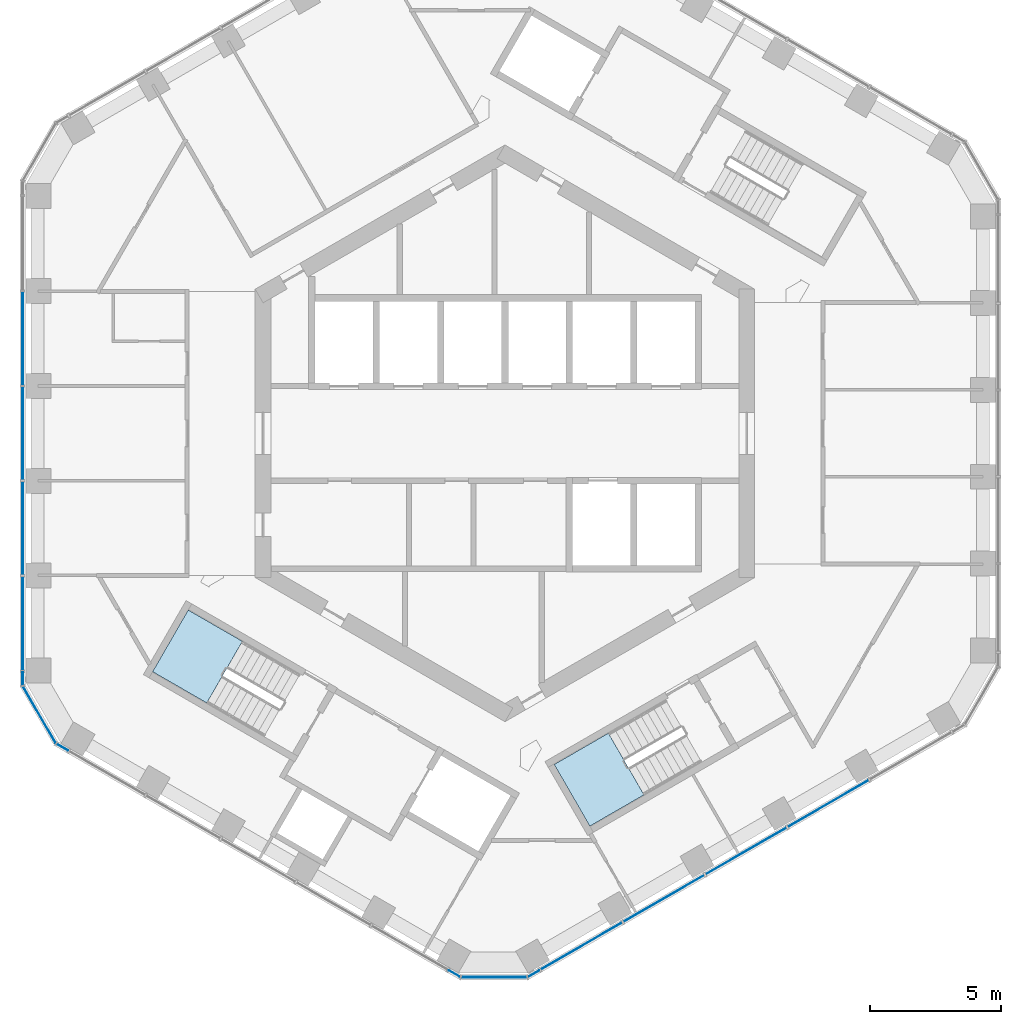
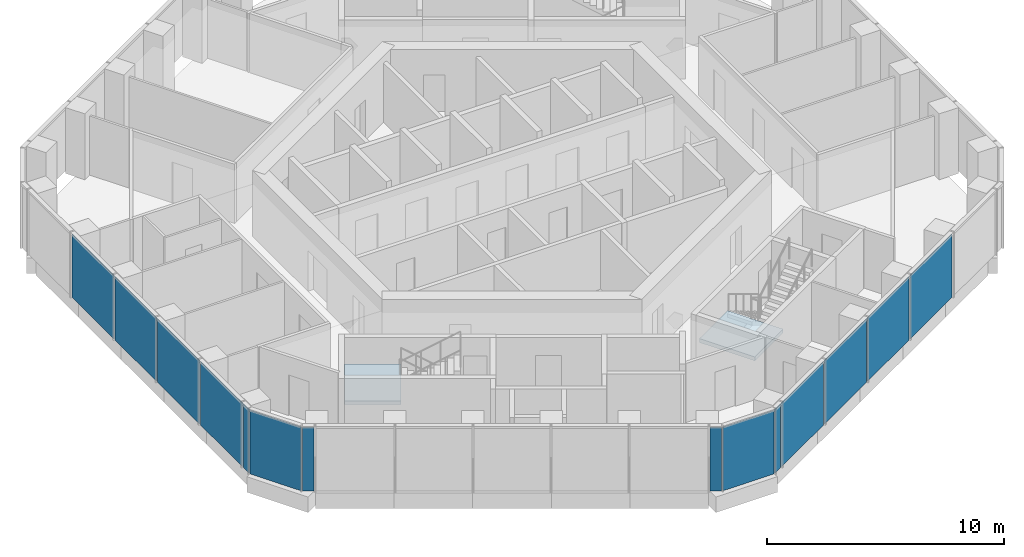
# One storey, part 8 of 18: 14 plates, 2 slabs, 6 elements without a shape of their own.
"""IFC4 building model written with IfcOpenShell, lengths in metres."""

from ifc_helpers import new_model, si_unit, direction, frame, origin, origin_2d, place, context, subcontext, project, spatial, polyline, rectangle, outline, extrude, material, layer, layer_set, type_object, element, aggregate, save


model = new_model("IFC4")

# Units and contexts
model_context = context("Model", 3, precision=1e-05, world=origin(), true_north=direction((0.0, 1.0)))
body_context = subcontext(model_context, "Body", "Model", "MODEL_VIEW")
ifc_project = project(units=[si_unit("LENGTHUNIT", "METRE"), si_unit("AREAUNIT", "SQUARE_METRE"), si_unit("VOLUMEUNIT", "CUBIC_METRE"), si_unit("PLANEANGLEUNIT", "RADIAN"), si_unit("MASSUNIT", "GRAM", prefix="KILO")], contexts=[model_context])

# Site, building, storey
site_placement = place(None, origin())
site = spatial("IfcSite", under=ifc_project, at=site_placement, CompositionType="ELEMENT")
building_placement = place(site_placement, origin())
building = spatial("IfcBuilding", under=site, at=building_placement, Name="Ayvan Gate Tower", CompositionType="ELEMENT")
storey_placement = place(building_placement, frame((0.0, 0.0, 176.5)))
storey = spatial("IfcBuildingStorey", under=building, at=storey_placement, Name="L47", CompositionType="ELEMENT", Elevation=176.5)

# Stair, slab
ifc_material_1 = material(Name="Concrete C40/50", Category="concrete")
stair_type = type_object("IfcStairType", Name="ST-EXIT", PredefinedType="HALF_TURN_STAIR", material=ifc_material_1)
stair_1_placement = place(storey_placement, origin())
stair_1 = element("IfcStair", 1, at=stair_1_placement, inside=storey, type_object=stair_type, Name="L47 Exit Stair S2", PredefinedType="HALF_TURN_STAIR")
ifc_layer_1 = layer(ifc_material_1, 0.199951171875)
ifc_layer_set_1 = layer_set([ifc_layer_1], Name="Concrete C40/50")
slab_type = type_object("IfcSlabType", Name="SL-LANDING-200", PredefinedType="LANDING", material=ifc_layer_set_1)
slab_1_placement = place(storey_placement, frame((0.0, 0.0, 1.5)))
slab_1 = element("IfcSlab", 2, at=slab_1_placement, type_object=slab_type, Name="STS2 landing 1", PredefinedType="LANDING", context=body_context, shape_type="SweptSolid", body=[
    extrude(outline(polyline([(-9.988525390625, -7.91064453125), (-12.049560546875, -6.720458984375), (-13.404541015625, -9.0673828125), (-11.343505859375, -10.257568359375), (-9.988525390625, -7.91064453125)])), origin(), (0.0, 0.0, 1.0), 0.199951171875),
])
aggregate(stair_1, [slab_1])

stair_2_placement = place(storey_placement, origin())
stair_2 = element("IfcStair", 3, at=stair_2_placement, inside=storey, type_object=stair_type, Name="L47 Exit Stair S3", PredefinedType="HALF_TURN_STAIR")
slab_2_placement = place(storey_placement, frame((0.0, 0.0, 1.5)))
slab_2 = element("IfcSlab", 4, at=slab_2_placement, type_object=slab_type, Name="STS3 landing 1", PredefinedType="LANDING", context=body_context, shape_type="SweptSolid", body=[
    extrude(outline(polyline([(3.93505859375, -11.405517578125), (1.873779296875, -12.595458984375), (3.228759765625, -14.9423828125), (5.2900390625, -13.75244140625), (3.93505859375, -11.405517578125)])), origin(), (0.0, 0.0, 1.0), 0.199951171875),
])
aggregate(stair_2, [slab_2])

# Curtain wall, plates
ifc_material_2 = material(Name="Bronze anodised aluminium", Category="aluminium")
ifc_layer_2 = layer(ifc_material_2, 0.199951171875)
ifc_layer_set_2 = layer_set([ifc_layer_2], Name="Bronze anodised aluminium")
curtain_wall_type_1 = type_object("IfcCurtainWallType", Name="Stick curtain wall CW-2", PredefinedType="NOTDEFINED", material=ifc_layer_set_2)
curtain_wall_1_placement = place(storey_placement, origin())
curtain_wall_1 = element("IfcCurtainWall", 5, at=curtain_wall_1_placement, inside=storey, type_object=curtain_wall_type_1, Name="Stick curtain wall CW-2 L47", PredefinedType="NOTDEFINED")
ifc_material_3 = material(Name="Clear low-iron laminated glass", Category="glass")
ifc_layer_3 = layer(ifc_material_3, 0.028076171875)
ifc_layer_set_3 = layer_set([ifc_layer_3], Name="Clear low-iron laminated glass")
plate_type_1 = type_object("IfcPlateType", Name="Stick curtain wall CW-2 glass panel", PredefinedType="CURTAIN_PANEL", material=ifc_layer_set_3)
plate_1_placement = place(storey_placement, frame((-18.34619140625, 3.609619140625, 0.0), z_axis=(0.0, 0.0, 1.0), x_axis=(0.0, -1.0, 0.0)))
plate_1 = element("IfcPlate", 6, at=plate_1_placement, type_object=plate_type_1, Name="CW-2 glass panel 2", PredefinedType="CURTAIN_PANEL", context=body_context, shape_type="SweptSolid", body=[
    extrude(rectangle(XDim=3.5400390625, YDim=0.028076171875, at=origin_2d()), origin(), (0.0, 0.0, 1.0), 3.280029296875),
])
plate_2_placement = place(storey_placement, frame((-18.34619140625, 0.0, 0.0), z_axis=(0.0, 0.0, 1.0), x_axis=(0.0, -1.0, 0.0)))
plate_2 = element("IfcPlate", 7, at=plate_2_placement, type_object=plate_type_1, Name="CW-2 glass panel 3", PredefinedType="CURTAIN_PANEL", context=body_context, shape_type="SweptSolid", body=[
    extrude(rectangle(XDim=3.5390625, YDim=0.028076171875, at=origin_2d()), origin(), (0.0, 0.0, 1.0), 3.280029296875),
])
plate_3_placement = place(storey_placement, frame((-18.34619140625, -3.609619140625, 0.0), z_axis=(0.0, 0.0, 1.0), x_axis=(0.0, -1.0, 0.0)))
plate_3 = element("IfcPlate", 8, at=plate_3_placement, type_object=plate_type_1, Name="CW-2 glass panel 4", PredefinedType="CURTAIN_PANEL", context=body_context, shape_type="SweptSolid", body=[
    extrude(rectangle(XDim=3.5400390625, YDim=0.028076171875, at=origin_2d()), origin(), (0.0, 0.0, 1.0), 3.280029296875),
])
plate_4_placement = place(storey_placement, frame((-18.34619140625, -7.2490234375, 0.0), z_axis=(0.0, 0.0, 1.0), x_axis=(0.0, -1.0, 0.0)))
plate_4 = element("IfcPlate", 9, at=plate_4_placement, type_object=plate_type_1, Name="CW-2 glass panel 5", PredefinedType="CURTAIN_PANEL", context=body_context, shape_type="SweptSolid", body=[
    extrude(rectangle(XDim=3.598876953125, YDim=0.028076171875, at=origin_2d()), origin(), (0.0, 0.0, 1.0), 3.280029296875),
])
aggregate(curtain_wall_1, [plate_1, plate_2, plate_3, plate_4])

curtain_wall_2_placement = place(storey_placement, origin())
curtain_wall_2 = element("IfcCurtainWall", 10, at=curtain_wall_2_placement, inside=storey, type_object=curtain_wall_type_1, Name="Stick curtain wall CW-2 L47", PredefinedType="NOTDEFINED")
plate_5_placement = place(storey_placement, frame((2.895263671875, -19.5126953125, 0.0), z_axis=(0.0, 0.0, 1.0), x_axis=(0.866025403784, 0.5, 0.0)))
plate_5 = element("IfcPlate", 11, at=plate_5_placement, type_object=plate_type_1, Name="CW-2 glass panel 1", PredefinedType="CURTAIN_PANEL", context=body_context, shape_type="SweptSolid", body=[
    extrude(rectangle(XDim=3.59912109375, YDim=0.028076171875, at=origin_2d()), origin(), (0.0, 0.0, 1.0), 3.280029296875),
])
plate_6_placement = place(storey_placement, frame((6.047119140625, -17.69287109375, 0.0), z_axis=(0.0, 0.0, 1.0), x_axis=(0.866025403784, 0.5, 0.0)))
plate_6 = element("IfcPlate", 12, at=plate_6_placement, type_object=plate_type_1, Name="CW-2 glass panel 2", PredefinedType="CURTAIN_PANEL", context=body_context, shape_type="SweptSolid", body=[
    extrude(rectangle(XDim=3.5400390625, YDim=0.028076171875, at=origin_2d()), origin(), (0.0, 0.0, 1.0), 3.280029296875),
])
plate_7_placement = place(storey_placement, frame((9.173095703125, -15.88818359375, 0.0), z_axis=(0.0, 0.0, 1.0), x_axis=(0.866025403784, 0.5, 0.0)))
plate_7 = element("IfcPlate", 13, at=plate_7_placement, type_object=plate_type_1, Name="CW-2 glass panel 3", PredefinedType="CURTAIN_PANEL", context=body_context, shape_type="SweptSolid", body=[
    extrude(rectangle(XDim=3.5390625, YDim=0.028076171875, at=origin_2d()), origin(), (0.0, 0.0, 1.0), 3.280029296875),
])
plate_8_placement = place(storey_placement, frame((12.299072265625, -14.08349609375, 0.0), z_axis=(0.0, 0.0, 1.0), x_axis=(0.866025403784, 0.5, 0.0)))
plate_8 = element("IfcPlate", 14, at=plate_8_placement, type_object=plate_type_1, Name="CW-2 glass panel 4", PredefinedType="CURTAIN_PANEL", context=body_context, shape_type="SweptSolid", body=[
    extrude(rectangle(XDim=3.5400390625, YDim=0.028076171875, at=origin_2d()), origin(), (0.0, 0.0, 1.0), 3.280029296875),
])
aggregate(curtain_wall_2, [plate_5, plate_6, plate_7, plate_8])

ifc_layer_4 = layer(ifc_material_2, 0.199951171875)
ifc_layer_set_4 = layer_set([ifc_layer_4], Name="Bronze anodised aluminium")
curtain_wall_type_2 = type_object("IfcCurtainWallType", Name="Stick curtain wall CW-6", PredefinedType="NOTDEFINED", material=ifc_layer_set_4)
curtain_wall_3_placement = place(storey_placement, origin())
curtain_wall_3 = element("IfcCurtainWall", 15, at=curtain_wall_3_placement, inside=storey, type_object=curtain_wall_type_2, Name="Stick curtain wall CW-6 L47", PredefinedType="NOTDEFINED")
ifc_layer_5 = layer(ifc_material_3, 0.028076171875)
ifc_layer_set_5 = layer_set([ifc_layer_5], Name="Clear low-iron laminated glass")
plate_type_2 = type_object("IfcPlateType", Name="Stick curtain wall CW-6 glass panel", PredefinedType="CURTAIN_PANEL", material=ifc_layer_set_5)
plate_9_placement = place(storey_placement, frame((-18.34619140625, -9.33349609375, 0.0), z_axis=(0.0, 0.0, 1.0), x_axis=(0.0, -1.0, 0.0)))
plate_9 = element("IfcPlate", 16, at=plate_9_placement, type_object=plate_type_2, Name="CW-6 glass panel 1", PredefinedType="CURTAIN_PANEL", context=body_context, shape_type="SweptSolid", body=[
    extrude(rectangle(XDim=0.5, YDim=0.028076171875, at=origin_2d()), origin(), (0.0, 0.0, 1.0), 3.280029296875),
])
plate_10_placement = place(storey_placement, frame((-17.71240234375, -10.7060546875, 0.0), z_axis=(0.0, 0.0, 1.0), x_axis=(0.5, -0.866025403784, 0.0)))
plate_10 = element("IfcPlate", 17, at=plate_10_placement, type_object=plate_type_2, Name="CW-6 glass panel 2", PredefinedType="CURTAIN_PANEL", context=body_context, shape_type="SweptSolid", body=[
    extrude(rectangle(XDim=2.484619140625, YDim=0.028076171875, at=origin_2d()), origin(), (0.0, 0.0, 1.0), 3.280029296875),
])
plate_11_placement = place(storey_placement, frame((-16.840576171875, -11.94091796875, 0.0), z_axis=(0.0, 0.0, 1.0), x_axis=(0.866025403784, -0.5, 0.0)))
plate_11 = element("IfcPlate", 18, at=plate_11_placement, type_object=plate_type_2, Name="CW-6 glass panel 3", PredefinedType="CURTAIN_PANEL", context=body_context, shape_type="SweptSolid", body=[
    extrude(rectangle(XDim=0.5, YDim=0.028076171875, at=origin_2d()), origin(), (0.0, 0.0, 1.0), 3.280029296875),
])
aggregate(curtain_wall_3, [plate_9, plate_10, plate_11])

curtain_wall_4_placement = place(storey_placement, origin())
curtain_wall_4 = element("IfcCurtainWall", 19, at=curtain_wall_4_placement, inside=storey, type_object=curtain_wall_type_2, Name="Stick curtain wall CW-6 L47", PredefinedType="NOTDEFINED")
plate_12_placement = place(storey_placement, frame((-1.9208984375, -20.554931640625, 0.0), z_axis=(0.0, 0.0, 1.0), x_axis=(0.866025403784, -0.5, 0.0)))
plate_12 = element("IfcPlate", 20, at=plate_12_placement, type_object=plate_type_2, Name="CW-6 glass panel 1", PredefinedType="CURTAIN_PANEL", context=body_context, shape_type="SweptSolid", body=[
    extrude(rectangle(XDim=0.5, YDim=0.028076171875, at=origin_2d()), origin(), (0.0, 0.0, 1.0), 3.280029296875),
])
plate_13_placement = place(storey_placement, frame((-0.41552734375, -20.6923828125, 0.0), z_axis=(0.0, 0.0, 1.0), x_axis=(1.0, 0.0, 0.0)))
plate_13 = element("IfcPlate", 21, at=plate_13_placement, type_object=plate_type_2, Name="CW-6 glass panel 2", PredefinedType="CURTAIN_PANEL", context=body_context, shape_type="SweptSolid", body=[
    extrude(rectangle(XDim=2.484619140625, YDim=0.028076171875, at=origin_2d()), origin(), (0.0, 0.0, 1.0), 3.280029296875),
])
plate_14_placement = place(storey_placement, frame((1.090087890625, -20.554931640625, 0.0), z_axis=(0.0, 0.0, 1.0), x_axis=(0.866025403784, 0.5, 0.0)))
plate_14 = element("IfcPlate", 22, at=plate_14_placement, type_object=plate_type_2, Name="CW-6 glass panel 3", PredefinedType="CURTAIN_PANEL", context=body_context, shape_type="SweptSolid", body=[
    extrude(rectangle(XDim=0.5, YDim=0.028076171875, at=origin_2d()), origin(), (0.0, 0.0, 1.0), 3.280029296875),
])
aggregate(curtain_wall_4, [plate_12, plate_13, plate_14])

save(model, "model.ifc")
